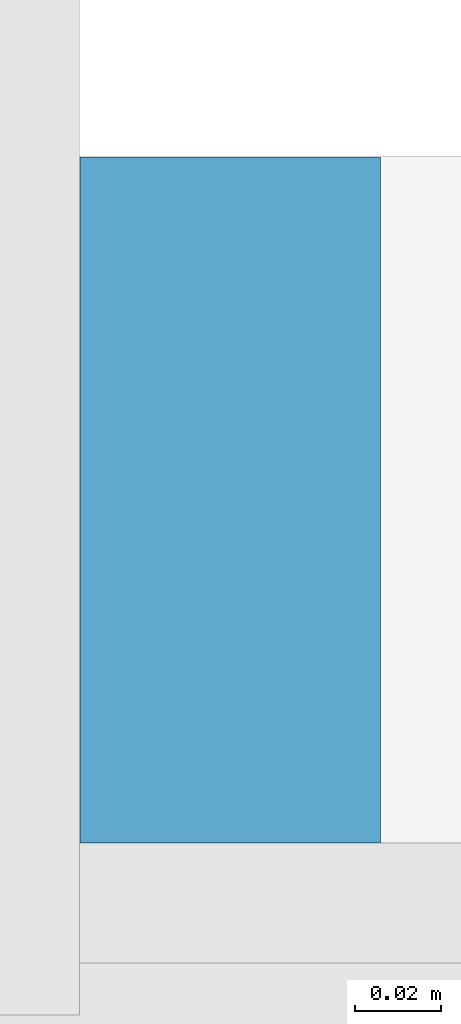
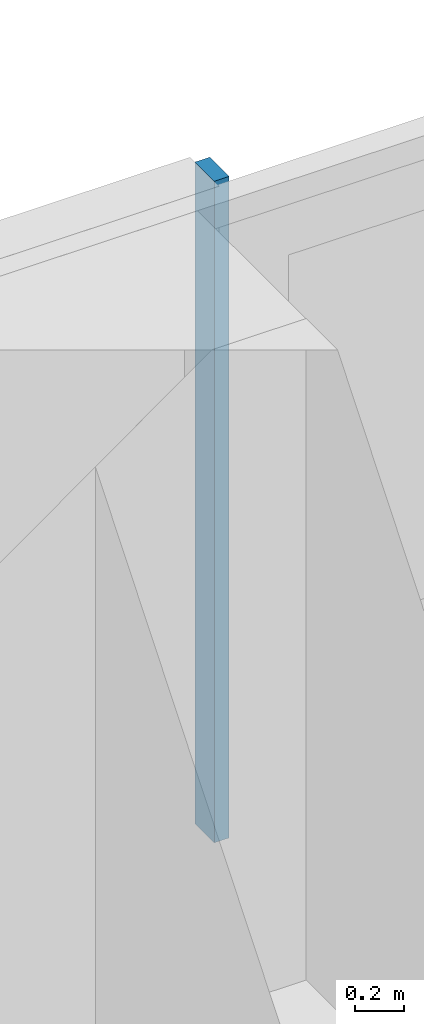
# One storey, part 10 of 27: 1 member, 1 element without a shape of its own.
"""IFC4 building model written with IfcOpenShell, lengths in metres."""

from ifc_helpers import new_model, si_unit, direction, frame, origin, origin_2d, place, context, subcontext, project, spatial, rectangle, extrude, material, material_profile, profile_set, type_object, element, aggregate, save


model = new_model("IFC4")

# Units and contexts
model_context = context("Model", 3, precision=1e-05, world=origin(), true_north=direction((0.0, 1.0)))
body_context = subcontext(model_context, "Body", "Model", "MODEL_VIEW")
ifc_project = project(units=[si_unit("LENGTHUNIT", "METRE"), si_unit("AREAUNIT", "SQUARE_METRE"), si_unit("VOLUMEUNIT", "CUBIC_METRE"), si_unit("PLANEANGLEUNIT", "RADIAN"), si_unit("MASSUNIT", "GRAM", prefix="KILO")], contexts=[model_context])

# Site, building, storey
site_placement = place(None, origin())
site = spatial("IfcSite", under=ifc_project, at=site_placement, CompositionType="ELEMENT")
building_placement = place(site_placement, origin())
building = spatial("IfcBuilding", under=site, at=building_placement, Name="Saffron Gate Tower", CompositionType="ELEMENT")
storey_placement = place(building_placement, frame((0.0, 0.0, 109.64990234375)))
storey = spatial("IfcBuildingStorey", under=building, at=storey_placement, Name="L25", CompositionType="ELEMENT", Elevation=109.64990234375)

# Curtain wall, member
ifc_material = material(Name="Aluminium, bronze anodised", Category="aluminium")
curtain_wall_type = type_object("IfcCurtainWallType", Name="CWS3 curtain wall rear facade", PredefinedType="NOTDEFINED", material=ifc_material)
curtain_wall_placement = place(storey_placement, origin())
curtain_wall = element("IfcCurtainWall", 1, at=curtain_wall_placement, inside=storey, type_object=curtain_wall_type, Name="CWS3 run 7", PredefinedType="NOTDEFINED")
ifc_material_profile = material_profile(ifc_material, rectangle(XDim=0.159912109375, YDim=0.070068359375, at=origin_2d()))
ifc_profile_set = profile_set([ifc_material_profile], Name="Aluminium, bronze anodised")
member_type = type_object("IfcMemberType", Name="CWS3 mullion 70x160", PredefinedType="MULLION", material=ifc_profile_set)
member_placement = place(storey_placement, frame((108.60009765625, 75.52001953125, 0.0), z_axis=(0.0, 0.0, 1.0), x_axis=(0.0, -1.0, 0.0)))
member = element("IfcMember", 2, at=member_placement, type_object=member_type, Name="CWS3 mullion 3", PredefinedType="MULLION", context=body_context, shape_type="SweptSolid", body=[
    extrude(rectangle(XDim=0.159912109375, YDim=0.070068359375, at=origin_2d()), origin(), (0.0, 0.0, 1.0), 3.320068359375),
])
aggregate(curtain_wall, [member])

save(model, "model.ifc")
